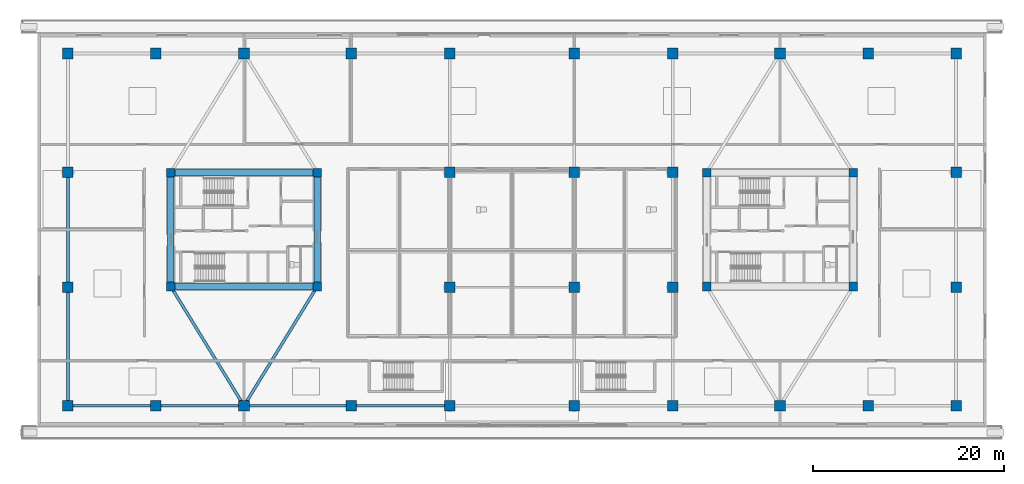
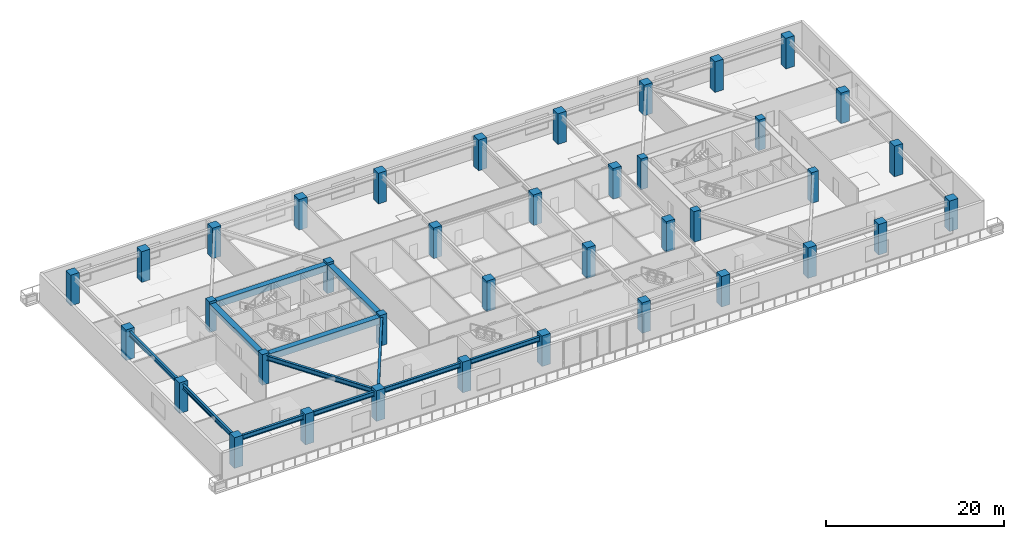
# One storey, part 1 of 22: 38 columns, 12 beams.
"""IFC4 building model written with IfcOpenShell, lengths in metres."""

import ifcopenshell
import ifcopenshell.guid

model = None  # the IFC model being written
_history = None  # IfcOwnerHistory: only IFC2X3 demands one
_inside = {}  # id of a spatial element -> (the spatial element, [elements in it])
_under = {}  # id of a project, library or spatial element -> (it, [spatial elements below it])
_declared = {}  # id of a project -> (the project, [libraries it declares])
_typed = {}  # id of a type object -> (the type object, [elements of that type])
_made_of = {}  # id of a material, layer set ... -> (it, [elements and type objects made of it])


def new_model(schema):
    """Start an empty IFC model of exactly this schema.

    Asked for "IFC4X3", IfcOpenShell would pick the latest addendum, in which some entities
    have other attributes; the version numbers below select the first issue.
    IFC2X3 requires an IfcOwnerHistory on every rooted entity: one is made here for all.
    """
    global model, _history
    if schema == "IFC4X3":
        model = ifcopenshell.file(schema_version=(4, 3, 0, 0))
    else:
        model = ifcopenshell.file(schema=schema)
    _inside.clear()
    _under.clear()
    _declared.clear()
    _typed.clear()
    _made_of.clear()
    _history = None
    if model.schema == "IFC2X3":
        org = make("IfcOrganization", Name="unknown")
        user = make(
            "IfcPersonAndOrganization",
            ThePerson=make("IfcPerson", FamilyName="unknown"),
            TheOrganization=org,
        )
        app = make(
            "IfcApplication",
            ApplicationDeveloper=org,
            Version="unknown",
            ApplicationFullName="unknown",
            ApplicationIdentifier="unknown",
        )
        _history = make(
            "IfcOwnerHistory",
            OwningUser=user,
            OwningApplication=app,
            ChangeAction="ADDED",
            CreationDate=0,
        )
    return model


def make(cls, **values):
    """One entity of the class cls with the attributes given. An attribute that is None is left unset."""
    return model.create_entity(
        cls, **{name: value for name, value in values.items() if value is not None}
    )


def rooted(cls, **values):
    """An entity with a GlobalId (a new one), such as an element, a storey or a relation."""
    return make(cls, GlobalId=ifcopenshell.guid.new(), OwnerHistory=_history, **values)


def si_unit(unit_type, name, prefix=None):
    """IfcSIUnit, for example si_unit("LENGTHUNIT", "METRE", prefix="MILLI")."""
    return make("IfcSIUnit", UnitType=unit_type, Prefix=prefix, Name=name)


def assignment(units):
    """IfcUnitAssignment: the units of a project."""
    return None if units is None else make("IfcUnitAssignment", Units=units)


def point(xyz):
    """IfcCartesianPoint."""
    return None if xyz is None else make("IfcCartesianPoint", Coordinates=xyz)


def direction(xyz):
    """IfcDirection."""
    return None if xyz is None else make("IfcDirection", DirectionRatios=xyz)


def frame(location, z_axis=None, x_axis=None):
    """IfcAxis2Placement3D, a coordinate frame: its origin and axes. An axis left out is left unset."""
    return make(
        "IfcAxis2Placement3D",
        Location=point(location),
        Axis=direction(z_axis),
        RefDirection=direction(x_axis),
    )


def frame_2d(location, x_axis=None):
    """IfcAxis2Placement2D, a coordinate frame in the plane: its origin and x axis."""
    return make(
        "IfcAxis2Placement2D", Location=point(location), RefDirection=direction(x_axis)
    )


def origin():
    """The frame at (0, 0, 0) with its axes left unset."""
    return frame((0.0, 0.0, 0.0))


def origin_2d():
    """The frame at (0, 0) in the plane with its x axis left unset."""
    return frame_2d((0.0, 0.0))


def place(relative_to, where):
    """IfcLocalPlacement: puts the frame where relative to a parent placement (None: the world)."""
    return make(
        "IfcLocalPlacement", PlacementRelTo=relative_to, RelativePlacement=where
    )


def context(
    kind, dimensions, precision=None, world=None, true_north=None, identifier=None
):
    """IfcGeometricRepresentationContext, for example the 3D "Model" context."""
    return make(
        "IfcGeometricRepresentationContext",
        ContextIdentifier=identifier,
        ContextType=kind,
        CoordinateSpaceDimension=dimensions,
        Precision=precision,
        WorldCoordinateSystem=world,
        TrueNorth=true_north,
    )


def subcontext(parent, identifier, kind, view, scale=None):
    """IfcGeometricRepresentationSubContext, for example "Body" below "Model"."""
    return make(
        "IfcGeometricRepresentationSubContext",
        ContextIdentifier=identifier,
        ContextType=kind,
        ParentContext=parent,
        TargetScale=scale,
        TargetView=view,
    )


def project(units=None, contexts=None):
    """IfcProject with its units and contexts."""
    return rooted(
        "IfcProject",
        Name="project",
        RepresentationContexts=contexts,
        UnitsInContext=assignment(units),
    )


def spatial(cls, under=None, at=None, **own):
    """A site, building, storey or space (cls), placed at a placement, below another one or the project."""
    s = rooted(cls, ObjectPlacement=at, **own)
    if under is not None:
        _under.setdefault(under.id(), (under, []))[1].append(s)
    return s


def profile(cls, at=None, kind="AREA", **sizes):
    """A parametric profile (cls). Its sizes go by their IFC names, for example OverallWidth=200.0."""
    return make(cls, ProfileType=kind, Position=at, **sizes)


def rectangle(**sizes):
    """IfcRectangleProfileDef."""
    return profile("IfcRectangleProfileDef", **sizes)


def i_section(**sizes):
    """IfcIShapeProfileDef."""
    return profile("IfcIShapeProfileDef", **sizes)


def extrude(swept, where, along, depth):
    """IfcExtrudedAreaSolid: the profile swept, set in the frame where, extruded along a direction by depth."""
    return make(
        "IfcExtrudedAreaSolid",
        SweptArea=swept,
        Position=where,
        ExtrudedDirection=direction(along),
        Depth=depth,
    )


def shape(context_of_items, identifier, shape_type, items):
    """IfcShapeRepresentation: the items that make up one representation, for example the "Body"."""
    return make(
        "IfcShapeRepresentation",
        ContextOfItems=context_of_items,
        RepresentationIdentifier=identifier,
        RepresentationType=shape_type,
        Items=items,
    )


def source(mapping_origin, context_of_items, identifier, shape_type, items):
    """IfcRepresentationMap: a shape defined once, which mapped items show again and again."""
    return make(
        "IfcRepresentationMap",
        MappingOrigin=mapping_origin,
        MappedRepresentation=shape(context_of_items, identifier, shape_type, items),
    )


def transform(
    local_origin,
    x_axis=None,
    y_axis=None,
    z_axis=None,
    scale=None,
    scale2=None,
    scale3=None,
    uniform=True,
):
    """IfcCartesianTransformationOperator3D, or its non-uniform kind. x_axis, y_axis, z_axis: its Axis1, 2, 3."""
    if uniform:
        return make(
            "IfcCartesianTransformationOperator3D",
            Axis1=direction(x_axis),
            Axis2=direction(y_axis),
            LocalOrigin=point(local_origin),
            Scale=scale,
            Axis3=direction(z_axis),
        )
    return make(
        "IfcCartesianTransformationOperator3DnonUniform",
        Axis1=direction(x_axis),
        Axis2=direction(y_axis),
        LocalOrigin=point(local_origin),
        Scale=scale,
        Axis3=direction(z_axis),
        Scale2=scale2,
        Scale3=scale3,
    )


def mapped(mapping_source, mapping_target):
    """IfcMappedItem: shows the shape of a source again, moved by a transform."""
    return make(
        "IfcMappedItem", MappingSource=mapping_source, MappingTarget=mapping_target
    )


def material(Name=None, Category=None):
    """IfcMaterial."""
    return make("IfcMaterial", Name=Name, Category=Category)


def material_profile(
    of_material, cross_section, Name=None, Category=None, Priority=None
):
    """IfcMaterialProfile: a cross section and its material."""
    return make(
        "IfcMaterialProfile",
        Name=Name,
        Material=of_material,
        Profile=cross_section,
        Priority=Priority,
        Category=Category,
    )


def profile_set(profiles, Name=None, composite=None):
    """IfcMaterialProfileSet."""
    return make(
        "IfcMaterialProfileSet",
        Name=Name,
        MaterialProfiles=profiles,
        CompositeProfile=composite,
    )


def made_of(thing, what):
    """Note that an element or type object is made of a material, layer set ...; save() writes the relation."""
    if what is not None:
        _made_of.setdefault(what.id(), (what, []))[1].append(thing)
    return thing


def type_object(cls, material=None, **own):
    """A type object (cls), such as IfcWallType, which elements share."""
    return made_of(rooted(cls, **own), material)


def type_shapes(of_type, sources):
    """Give a type object the sources (RepresentationMaps) that its elements show as mapped items."""
    of_type.RepresentationMaps = sources


def element(
    cls,
    number,
    at=None,
    inside=None,
    cuts=None,
    type_object=None,
    material=None,
    context=None,
    identifier="Body",
    shape_type=None,
    held_by="IfcProductDefinitionShape",
    body=None,
    shapes=None,
    **own,
):
    """One element of the class cls, such as IfcWall. Its Tag is "e" and its number.

    at: its placement. inside: the storey or other place that contains it. cuts: it is an
    opening in that element (IfcRelVoidsElement). A single representation is given by context,
    identifier, shape_type and body (its items); several are given by shapes. held_by: the class
    of the entity that holds the representations. save() writes the other relations.
    """
    e = rooted(cls, Tag="e%d" % number, ObjectPlacement=at, **own)
    if body is not None:
        shapes = [shape(context, identifier, shape_type, body)]
    if shapes is not None:
        e.Representation = make(held_by, Representations=shapes)
    if inside is not None:
        _inside.setdefault(inside.id(), (inside, []))[1].append(e)
    if cuts is not None:
        rooted(
            "IfcRelVoidsElement", RelatingBuildingElement=cuts, RelatedOpeningElement=e
        )
    if type_object is not None:
        _typed.setdefault(type_object.id(), (type_object, []))[1].append(e)
    return made_of(e, material)


def aggregate(whole, parts):
    """IfcRelAggregates: a whole, such as a stair, and the parts it consists of."""
    return rooted("IfcRelAggregates", RelatingObject=whole, RelatedObjects=parts)


def save(model, path):
    """Write the relations noted so far, then the file.

    IfcRelAggregates (storeys below a building ...), IfcRelContainedInSpatialStructure (elements
    in a storey), IfcRelDefinesByType, IfcRelAssociatesMaterial and IfcRelDeclares: one each for
    every whole, place, type object, material and project.
    """
    for whole, parts in _under.values():
        aggregate(whole, parts)
    for where, things in _inside.values():
        rooted(
            "IfcRelContainedInSpatialStructure",
            RelatedElements=things,
            RelatingStructure=where,
        )
    for kind, things in _typed.values():
        rooted("IfcRelDefinesByType", RelatedObjects=things, RelatingType=kind)
    for what, things in _made_of.values():
        rooted("IfcRelAssociatesMaterial", RelatedObjects=things, RelatingMaterial=what)
    for by, libraries in _declared.values():
        rooted("IfcRelDeclares", RelatingContext=by, RelatedDefinitions=libraries)
    model.write(path)


model = new_model("IFC4")

# Units and contexts
model_context = context("Model", 3, precision=1e-05, world=origin(), true_north=direction((0.0, 1.0)))
body_context = subcontext(model_context, "Body", "Model", "MODEL_VIEW")
ifc_project = project(units=[si_unit("LENGTHUNIT", "METRE"), si_unit("AREAUNIT", "SQUARE_METRE"), si_unit("VOLUMEUNIT", "CUBIC_METRE"), si_unit("PLANEANGLEUNIT", "RADIAN"), si_unit("MASSUNIT", "GRAM", prefix="KILO")], contexts=[model_context])

# Site, building, storey
site_placement = place(None, origin())
site = spatial("IfcSite", under=ifc_project, at=site_placement, CompositionType="ELEMENT")
building_placement = place(site_placement, origin())
building = spatial("IfcBuilding", under=site, at=building_placement, Name="Norrkilde Senior Care Towers", CompositionType="ELEMENT")
storey_placement = place(building_placement, frame((0.0, 0.0, 12.60009765625)))
storey = spatial("IfcBuildingStorey", under=building, at=storey_placement, Name="L03", CompositionType="ELEMENT", Elevation=12.60009765625)

# Columns
ifc_material_1 = material(Name="Concrete C60/75", Category="concrete")
ifc_material_profile_1 = material_profile(ifc_material_1, rectangle(XDim=0.89990234375, YDim=0.89990234375, at=origin_2d()), Name="RC COL 900x900")
ifc_profile_set_1 = profile_set([ifc_material_profile_1], Name="Concrete C60/75")
column_type_1 = type_object("IfcColumnType", Name="Column Core Corner Z1-Z2 900", PredefinedType="COLUMN", material=ifc_profile_set_1)
shared_shape_1 = source(origin(), body_context, "Body", "SweptSolid", [
    extrude(rectangle(XDim=0.89990234375, YDim=0.89990234375, at=origin_2d()), origin(), (0.0, 0.0, 1.0), 4.199951171875),
])
type_shapes(column_type_1, [shared_shape_1])
for number, where, z_axis, x_axis, name in (
    (1, (-35.64990234375, -5.949951171875, 0.0), (0.0, 0.0, 1.0), (1.0, 0.0, 0.0), "L03 Core W Corner Column 1"),
    (2, (-20.35009765625, -5.949951171875, 0.0), (0.0, 0.0, 1.0), (1.0, 0.0, 0.0), "L03 Core W Corner Column 2"),
    (3, (-20.35009765625, 5.949951171875, 0.0), (0.0, 0.0, 1.0), (1.0, 0.0, 0.0), "L03 Core W Corner Column 3"),
    (4, (-35.64990234375, 5.949951171875, 0.0), (0.0, 0.0, 1.0), (1.0, 0.0, 0.0), "L03 Core W Corner Column 4"),
    (5, (20.35009765625, -5.949951171875, 0.0), (0.0, 0.0, 1.0), (1.0, 0.0, 0.0), "L03 Core E Corner Column 1"),
    (6, (35.64990234375, -5.949951171875, 0.0), (0.0, 0.0, 1.0), (1.0, 0.0, 0.0), "L03 Core E Corner Column 2"),
    (7, (35.64990234375, 5.949951171875, 0.0), (0.0, 0.0, 1.0), (1.0, 0.0, 0.0), "L03 Core E Corner Column 3"),
    (8, (20.35009765625, 5.949951171875, 0.0), (0.0, 0.0, 1.0), (1.0, 0.0, 0.0), "L03 Core E Corner Column 4"),
):
    element("IfcColumn", number, at=place(storey_placement, frame(where, z_axis=z_axis, x_axis=x_axis)), inside=storey, type_object=column_type_1, Name=name, PredefinedType="COLUMN", context=body_context, shape_type="MappedRepresentation", body=[
        mapped(shared_shape_1, transform((0.0, 0.0, 0.0), x_axis=(1.0, 0.0, 0.0), y_axis=(0.0, 1.0, 0.0), z_axis=(0.0, 0.0, 1.0), scale=1.0)),
    ])
ifc_material_profile_2 = material_profile(ifc_material_1, rectangle(XDim=1.10009765625, YDim=1.10009765625, at=origin_2d()), Name="RC COL 1100x1100")
ifc_profile_set_2 = profile_set([ifc_material_profile_2], Name="Concrete C60/75")
column_type_2 = type_object("IfcColumnType", Name="Column Podium Frame 1100", PredefinedType="COLUMN", material=ifc_profile_set_2)
shared_shape_2 = source(origin(), body_context, "Body", "SweptSolid", [
    extrude(rectangle(XDim=1.10009765625, YDim=1.10009765625, at=origin_2d()), origin(), (0.0, 0.0, 1.0), 4.199951171875),
])
type_shapes(column_type_2, [shared_shape_2])
for number, where, z_axis, x_axis, name in (
    (9, (-46.39990234375, -18.39990234375, 0.0), (0.0, 0.0, 1.0), (1.0, 0.0, 0.0), "L03 Podium Mega Column 01"),
    (10, (-37.199951171875, -18.39990234375, 0.0), (0.0, 0.0, 1.0), (1.0, 0.0, 0.0), "L03 Podium Mega Column 02"),
    (11, (-28.0, -18.39990234375, 0.0), (0.0, 0.0, 1.0), (1.0, 0.0, 0.0), "L03 Podium Mega Column 03"),
    (12, (-16.800048828125, -18.39990234375, 0.0), (0.0, 0.0, 1.0), (1.0, 0.0, 0.0), "L03 Podium Mega Column 04"),
    (13, (-6.5, -18.39990234375, 0.0), (0.0, 0.0, 1.0), (1.0, 0.0, 0.0), "L03 Podium Mega Column 05"),
    (14, (6.5, -18.39990234375, 0.0), (0.0, 0.0, 1.0), (1.0, 0.0, 0.0), "L03 Podium Mega Column 06"),
    (15, (16.800048828125, -18.39990234375, 0.0), (0.0, 0.0, 1.0), (1.0, 0.0, 0.0), "L03 Podium Mega Column 07"),
    (16, (28.0, -18.39990234375, 0.0), (0.0, 0.0, 1.0), (1.0, 0.0, 0.0), "L03 Podium Mega Column 08"),
    (17, (37.199951171875, -18.39990234375, 0.0), (0.0, 0.0, 1.0), (1.0, 0.0, 0.0), "L03 Podium Mega Column 09"),
    (18, (46.39990234375, -18.39990234375, 0.0), (0.0, 0.0, 1.0), (1.0, 0.0, 0.0), "L03 Podium Mega Column 10"),
    (19, (-46.39990234375, 18.39990234375, 0.0), (0.0, 0.0, 1.0), (1.0, 0.0, 0.0), "L03 Podium Mega Column 11"),
    (20, (-37.199951171875, 18.39990234375, 0.0), (0.0, 0.0, 1.0), (1.0, 0.0, 0.0), "L03 Podium Mega Column 12"),
    (21, (-28.0, 18.39990234375, 0.0), (0.0, 0.0, 1.0), (1.0, 0.0, 0.0), "L03 Podium Mega Column 13"),
    (22, (-16.800048828125, 18.39990234375, 0.0), (0.0, 0.0, 1.0), (1.0, 0.0, 0.0), "L03 Podium Mega Column 14"),
    (23, (-6.5, 18.39990234375, 0.0), (0.0, 0.0, 1.0), (1.0, 0.0, 0.0), "L03 Podium Mega Column 15"),
    (24, (6.5, 18.39990234375, 0.0), (0.0, 0.0, 1.0), (1.0, 0.0, 0.0), "L03 Podium Mega Column 16"),
    (25, (16.800048828125, 18.39990234375, 0.0), (0.0, 0.0, 1.0), (1.0, 0.0, 0.0), "L03 Podium Mega Column 17"),
    (26, (28.0, 18.39990234375, 0.0), (0.0, 0.0, 1.0), (1.0, 0.0, 0.0), "L03 Podium Mega Column 18"),
    (27, (37.199951171875, 18.39990234375, 0.0), (0.0, 0.0, 1.0), (1.0, 0.0, 0.0), "L03 Podium Mega Column 19"),
    (28, (46.39990234375, 18.39990234375, 0.0), (0.0, 0.0, 1.0), (1.0, 0.0, 0.0), "L03 Podium Mega Column 20"),
    (29, (-46.39990234375, -6.0, 0.0), (0.0, 0.0, 1.0), (1.0, 0.0, 0.0), "L03 Podium Mega Column 21"),
    (30, (-46.39990234375, 6.0, 0.0), (0.0, 0.0, 1.0), (1.0, 0.0, 0.0), "L03 Podium Mega Column 22"),
    (31, (-6.5, -6.0, 0.0), (0.0, 0.0, 1.0), (1.0, 0.0, 0.0), "L03 Podium Mega Column 23"),
    (32, (-6.5, 6.0, 0.0), (0.0, 0.0, 1.0), (1.0, 0.0, 0.0), "L03 Podium Mega Column 24"),
    (33, (6.5, -6.0, 0.0), (0.0, 0.0, 1.0), (1.0, 0.0, 0.0), "L03 Podium Mega Column 25"),
    (34, (6.5, 6.0, 0.0), (0.0, 0.0, 1.0), (1.0, 0.0, 0.0), "L03 Podium Mega Column 26"),
    (35, (16.800048828125, -6.0, 0.0), (0.0, 0.0, 1.0), (1.0, 0.0, 0.0), "L03 Podium Mega Column 27"),
    (36, (16.800048828125, 6.0, 0.0), (0.0, 0.0, 1.0), (1.0, 0.0, 0.0), "L03 Podium Mega Column 28"),
    (37, (46.39990234375, -6.0, 0.0), (0.0, 0.0, 1.0), (1.0, 0.0, 0.0), "L03 Podium Mega Column 29"),
    (38, (46.39990234375, 6.0, 0.0), (0.0, 0.0, 1.0), (1.0, 0.0, 0.0), "L03 Podium Mega Column 30"),
):
    element("IfcColumn", number, at=place(storey_placement, frame(where, z_axis=z_axis, x_axis=x_axis)), inside=storey, type_object=column_type_2, Name=name, PredefinedType="COLUMN", context=body_context, shape_type="MappedRepresentation", body=[
        mapped(shared_shape_2, transform((0.0, 0.0, 0.0), x_axis=(1.0, 0.0, 0.0), y_axis=(0.0, 1.0, 0.0), z_axis=(0.0, 0.0, 1.0), scale=1.0)),
    ])

# Beams
ifc_material_profile_3 = material_profile(ifc_material_1, rectangle(XDim=0.699951171875, YDim=0.89990234375, at=origin_2d()), Name="RC BM 700x900")
ifc_profile_set_3 = profile_set([ifc_material_profile_3], Name="Concrete C60/75")
beam_type_1 = type_object("IfcBeamType", Name="Core Coupling Girder 700x900", PredefinedType="USERDEFINED", material=ifc_profile_set_3)
shared_shape_3 = source(origin(), body_context, "Body", "SweptSolid", [
    extrude(rectangle(XDim=0.699951171875, YDim=0.89990234375, at=origin_2d()), origin(), (0.0, 0.0, 1.0), 14.43994140625),
])
type_shapes(beam_type_1, [shared_shape_3])
for number, where, z_axis, x_axis, name in (
    (39, (-35.219970703125, 5.949951171875, 3.429931640625), (1.0, 0.0, 0.0), (0.0, 1.0, 0.0), "L03 Core W N Coupling Girder"),
    (40, (-35.219970703125, -5.949951171875, 3.429931640625), (1.0, 0.0, 0.0), (0.0, 1.0, 0.0), "L03 Core W S Coupling Girder"),
):
    element("IfcBeam", number, at=place(storey_placement, frame(where, z_axis=z_axis, x_axis=x_axis)), inside=storey, type_object=beam_type_1, Name=name, ObjectType="GIRDER", PredefinedType="USERDEFINED", context=body_context, shape_type="MappedRepresentation", body=[
        mapped(shared_shape_3, transform((0.0, 0.0, 0.0), x_axis=(1.0, 0.0, 0.0), y_axis=(0.0, 1.0, 0.0), z_axis=(0.0, 0.0, 1.0), scale=1.0)),
    ])
ifc_material_profile_4 = material_profile(ifc_material_1, rectangle(XDim=0.699951171875, YDim=0.550048828125, at=origin_2d()), Name="RC BM 700x550")
ifc_profile_set_4 = profile_set([ifc_material_profile_4], Name="Concrete C60/75")
beam_type_2 = type_object("IfcBeamType", Name="Core Portal Coupling Beam 700x550", PredefinedType="USERDEFINED", material=ifc_profile_set_4)
shared_shape_4 = source(origin(), body_context, "Body", "SweptSolid", [
    extrude(rectangle(XDim=0.699951171875, YDim=0.550048828125, at=origin_2d()), origin(), (0.0, 0.0, 1.0), 11.0400390625),
])
type_shapes(beam_type_2, [shared_shape_4])
for number, where, z_axis, x_axis, name in (
    (41, (-35.64990234375, -5.52001953125, 3.60498046875), (0.0, 1.0, 0.0), (-1.0, 0.0, 0.0), "L03 Core W W Coupling Girder"),
    (42, (-20.35009765625, -5.52001953125, 3.60498046875), (0.0, 1.0, 0.0), (-1.0, 0.0, 0.0), "L03 Core W E Coupling Girder"),
):
    element("IfcBeam", number, at=place(storey_placement, frame(where, z_axis=z_axis, x_axis=x_axis)), inside=storey, type_object=beam_type_2, Name=name, ObjectType="GIRDER", PredefinedType="USERDEFINED", context=body_context, shape_type="MappedRepresentation", body=[
        mapped(shared_shape_4, transform((0.0, 0.0, 0.0), x_axis=(1.0, 0.0, 0.0), y_axis=(0.0, 1.0, 0.0), z_axis=(0.0, 0.0, 1.0), scale=1.0)),
    ])
ifc_material_2 = material(Name="Steel S355", Category="steel")
ifc_material_profile_5 = material_profile(ifc_material_2, i_section(OverallWidth=0.300048828125, OverallDepth=0.64990234375, WebThickness=0.01611328125, FlangeThickness=0.031005859375, FilletRadius=0.027099609375, at=origin_2d()), Name="HEB 650")
ifc_profile_set_5 = profile_set([ifc_material_profile_5], Name="Steel S355")
beam_type_3 = type_object("IfcBeamType", Name="Podium Primary Beam HEB650", PredefinedType="BEAM", material=ifc_profile_set_5)
shared_shape_5 = source(origin(), body_context, "Body", "SweptSolid", [
    extrude(i_section(OverallWidth=0.300048828125, OverallDepth=0.64990234375, WebThickness=0.01611328125, FlangeThickness=0.031005859375, FilletRadius=0.027099609375, at=origin_2d()), origin(), (0.0, 0.0, 1.0), 8.300048828125),
])
for number, where, z_axis, x_axis, name in (
    (43, (-45.949951171875, -18.39990234375, 3.554931640625), (1.0, 0.0, 0.0), (0.0, 1.0, 0.0), "L03 Podium E-W Frame Beam 1.1"),
    (44, (-36.75, -18.39990234375, 3.554931640625), (1.0, 0.0, 0.0), (0.0, 1.0, 0.0), "L03 Podium E-W Frame Beam 1.2"),
):
    element("IfcBeam", number, at=place(storey_placement, frame(where, z_axis=z_axis, x_axis=x_axis)), inside=storey, type_object=beam_type_3, Name=name, PredefinedType="BEAM", context=body_context, shape_type="MappedRepresentation", body=[
        mapped(shared_shape_5, transform((0.0, 0.0, 0.0), x_axis=(1.0, 0.0, 0.0), y_axis=(0.0, 1.0, 0.0), z_axis=(0.0, 0.0, 1.0), scale=1.0)),
    ])
shared_shape_6 = source(origin(), body_context, "Body", "SweptSolid", [
    extrude(i_section(OverallWidth=0.300048828125, OverallDepth=0.64990234375, WebThickness=0.01611328125, FlangeThickness=0.031005859375, FilletRadius=0.027099609375, at=origin_2d()), origin(), (0.0, 0.0, 1.0), 10.300048828125),
])
beam_1_placement = place(storey_placement, frame((-27.550048828125, -18.39990234375, 3.554931640625), z_axis=(1.0, 0.0, 0.0), x_axis=(0.0, 1.0, 0.0)))
element("IfcBeam", 45, at=beam_1_placement, inside=storey, type_object=beam_type_3, Name="L03 Podium E-W Frame Beam 1.3", PredefinedType="BEAM", context=body_context, shape_type="MappedRepresentation", body=[
    mapped(shared_shape_6, transform((0.0, 0.0, 0.0), x_axis=(1.0, 0.0, 0.0), y_axis=(0.0, 1.0, 0.0), z_axis=(0.0, 0.0, 1.0), scale=1.0)),
])
shared_shape_7 = source(origin(), body_context, "Body", "SweptSolid", [
    extrude(i_section(OverallWidth=0.300048828125, OverallDepth=0.64990234375, WebThickness=0.01611328125, FlangeThickness=0.031005859375, FilletRadius=0.027099609375, at=origin_2d()), origin(), (0.0, 0.0, 1.0), 9.400146484375),
])
beam_2_placement = place(storey_placement, frame((-16.35009765625, -18.39990234375, 3.554931640625), z_axis=(1.0, 0.0, 0.0), x_axis=(0.0, 1.0, 0.0)))
element("IfcBeam", 46, at=beam_2_placement, inside=storey, type_object=beam_type_3, Name="L03 Podium E-W Frame Beam 1.4", PredefinedType="BEAM", context=body_context, shape_type="MappedRepresentation", body=[
    mapped(shared_shape_7, transform((0.0, 0.0, 0.0), x_axis=(1.0, 0.0, 0.0), y_axis=(0.0, 1.0, 0.0), z_axis=(0.0, 0.0, 1.0), scale=1.0)),
])
shared_shape_8 = source(origin(), body_context, "Body", "SweptSolid", [
    extrude(i_section(OverallWidth=0.300048828125, OverallDepth=0.64990234375, WebThickness=0.01611328125, FlangeThickness=0.031005859375, FilletRadius=0.027099609375, at=origin_2d()), origin(), (0.0, 0.0, 1.0), 11.5),
])
beam_3_placement = place(storey_placement, frame((-46.39990234375, -17.949951171875, 3.554931640625), z_axis=(0.0, 1.0, 0.0), x_axis=(-1.0, 0.0, 0.0)))
element("IfcBeam", 47, at=beam_3_placement, inside=storey, type_object=beam_type_3, Name="L03 Podium N-S Frame Beam 1.1", PredefinedType="BEAM", context=body_context, shape_type="MappedRepresentation", body=[
    mapped(shared_shape_8, transform((0.0, 0.0, 0.0), x_axis=(1.0, 0.0, 0.0), y_axis=(0.0, 1.0, 0.0), z_axis=(0.0, 0.0, 1.0), scale=1.0)),
])
shared_shape_9 = source(origin(), body_context, "Body", "SweptSolid", [
    extrude(i_section(OverallWidth=0.300048828125, OverallDepth=0.64990234375, WebThickness=0.01611328125, FlangeThickness=0.031005859375, FilletRadius=0.027099609375, at=origin_2d()), origin(), (0.0, 0.0, 1.0), 11.10009765625),
])
beam_4_placement = place(storey_placement, frame((-46.39990234375, -5.550048828125, 3.554931640625), z_axis=(0.0, 1.0, 0.0), x_axis=(-1.0, 0.0, 0.0)))
element("IfcBeam", 48, at=beam_4_placement, inside=storey, type_object=beam_type_3, Name="L03 Podium N-S Frame Beam 1.2", PredefinedType="BEAM", context=body_context, shape_type="MappedRepresentation", body=[
    mapped(shared_shape_9, transform((0.0, 0.0, 0.0), x_axis=(1.0, 0.0, 0.0), y_axis=(0.0, 1.0, 0.0), z_axis=(0.0, 0.0, 1.0), scale=1.0)),
])
shared_shape_10 = source(origin(), body_context, "Body", "SweptSolid", [
    extrude(i_section(OverallWidth=0.300048828125, OverallDepth=0.64990234375, WebThickness=0.01611328125, FlangeThickness=0.031005859375, FilletRadius=0.027099609375, at=origin_2d()), origin(), (0.0, 0.0, 1.0), 13.742431640625),
])
type_shapes(beam_type_3, [shared_shape_5, shared_shape_6, shared_shape_7, shared_shape_8, shared_shape_9, shared_shape_10])
for number, where, z_axis, x_axis, name in (
    (49, (-28.235595703125, -18.0166015625, 3.554931640625), (-0.523527368138, 0.852008858411, 0.0), (-0.852008858411, -0.523527368138, 0.0), "L03 Core W Tie Beam 1"),
    (50, (-27.764404296875, -18.0166015625, 3.554931640625), (0.523527368138, 0.852008858411, 0.0), (-0.852008858411, 0.523527368138, 0.0), "L03 Core W Tie Beam 2"),
):
    element("IfcBeam", number, at=place(storey_placement, frame(where, z_axis=z_axis, x_axis=x_axis)), inside=storey, type_object=beam_type_3, Name=name, PredefinedType="BEAM", context=body_context, shape_type="MappedRepresentation", body=[
        mapped(shared_shape_10, transform((0.0, 0.0, 0.0), x_axis=(1.0, 0.0, 0.0), y_axis=(0.0, 1.0, 0.0), z_axis=(0.0, 0.0, 1.0), scale=1.0)),
    ])

save(model, "model.ifc")
